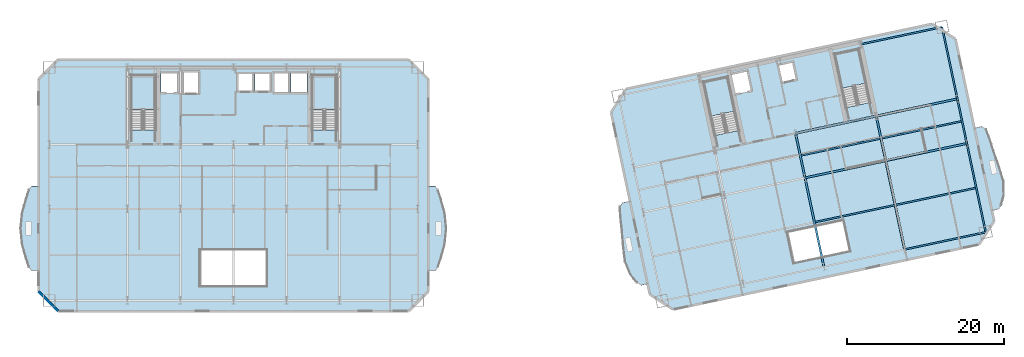
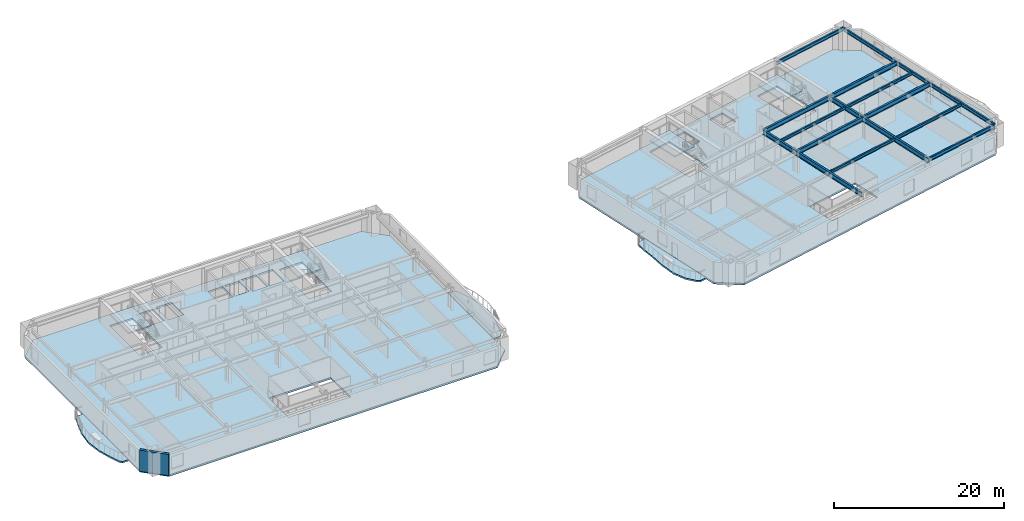
# One storey, part 4 of 14: 17 beams, 10 slabs, 1 wall, 4 elements without a shape of their own.
"""IFC4 building model written with IfcOpenShell, lengths in metres."""

from ifc_helpers import new_model, si_unit, direction, frame, frame_2d, origin, origin_2d, place, context, subcontext, project, spatial, polyline, rectangle, i_section, outline, extrude, material, layer, layer_set, material_profile, profile_set, type_object, element, aggregate, save


model = new_model("IFC4")

# Units and contexts
model_context = context("Model", 3, precision=1e-05, world=origin(), true_north=direction((0.0, 1.0)))
body_context = subcontext(model_context, "Body", "Model", "MODEL_VIEW")
ifc_project = project(units=[si_unit("LENGTHUNIT", "METRE"), si_unit("AREAUNIT", "SQUARE_METRE"), si_unit("VOLUMEUNIT", "CUBIC_METRE"), si_unit("PLANEANGLEUNIT", "RADIAN"), si_unit("MASSUNIT", "GRAM", prefix="KILO")], contexts=[model_context])

# Site, building, storey
site_placement = place(None, origin())
site = spatial("IfcSite", under=ifc_project, at=site_placement, CompositionType="ELEMENT")
building_placement = place(site_placement, origin())
building = spatial("IfcBuilding", under=site, at=building_placement, Name="Haevon Station Towers", CompositionType="ELEMENT")
storey_placement = place(building_placement, frame((0.0, 0.0, 86.699951171875)))
storey = spatial("IfcBuildingStorey", under=building, at=storey_placement, Name="L22", CompositionType="ELEMENT", Elevation=86.699951171875)

# Beams
ifc_material_1 = material(Name="Steel S355", Category="steel")
ifc_material_profile_1 = material_profile(ifc_material_1, i_section(OverallWidth=0.25, OverallDepth=0.64990234375, WebThickness=0.012939453125, FlangeThickness=0.02197265625, at=origin_2d()), Name="H-650x250x13x22")
ifc_profile_set_1 = profile_set([ifc_material_profile_1], Name="Steel S355")
beam_type_1 = type_object("IfcBeamType", Name="BM-G650", PredefinedType="BEAM", material=ifc_profile_set_1)
beam_1_placement = place(storey_placement, frame((110.228759765625, 33.9521484375, 2.72509765625), z_axis=(0.978146794194, 0.207915485254, 0.0), x_axis=(-0.207915485254, 0.978146794194, 0.0)))
element("IfcBeam", 1, at=beam_1_placement, inside=storey, type_object=beam_type_1, Name="BM-T2U-L22-02-03", PredefinedType="BEAM", context=body_context, shape_type="SweptSolid", body=[
    extrude(i_section(OverallWidth=0.25, OverallDepth=0.64990234375, WebThickness=0.012939453125, FlangeThickness=0.02197265625, at=origin_2d()), origin(), (0.0, 0.0, 1.0), 10.5),
])
beam_2_placement = place(storey_placement, frame((120.499267578125, 36.13525390625, 2.72509765625), z_axis=(0.978145498476, 0.207921580918, 0.0), x_axis=(-0.207921580918, 0.978145498476, 0.0)))
element("IfcBeam", 2, at=beam_2_placement, inside=storey, type_object=beam_type_1, Name="BM-T2U-L22-02-04", PredefinedType="BEAM", context=body_context, shape_type="SweptSolid", body=[
    extrude(i_section(OverallWidth=0.25, OverallDepth=0.64990234375, WebThickness=0.012939453125, FlangeThickness=0.02197265625, at=origin_2d()), origin(), (0.0, 0.0, 1.0), 10.550048828125),
])
beam_3_placement = place(storey_placement, frame((109.02294921875, 39.62548828125, 2.72509765625), z_axis=(0.978146794194, 0.207915485254, 0.0), x_axis=(-0.207915485254, 0.978146794194, 0.0)))
element("IfcBeam", 3, at=beam_3_placement, inside=storey, type_object=beam_type_1, Name="BM-T2U-L22-03-03", PredefinedType="BEAM", context=body_context, shape_type="SweptSolid", body=[
    extrude(i_section(OverallWidth=0.25, OverallDepth=0.64990234375, WebThickness=0.012939453125, FlangeThickness=0.02197265625, at=origin_2d()), origin(), (0.0, 0.0, 1.0), 10.5),
])
beam_4_placement = place(storey_placement, frame((119.29345703125, 41.80859375, 2.72509765625), z_axis=(0.978149204359, 0.207904146209, 0.0), x_axis=(-0.207904146209, 0.978149204359, 0.0)))
element("IfcBeam", 4, at=beam_4_placement, inside=storey, type_object=beam_type_1, Name="BM-T2U-L22-03-04", PredefinedType="BEAM", context=body_context, shape_type="SweptSolid", body=[
    extrude(i_section(OverallWidth=0.25, OverallDepth=0.64990234375, WebThickness=0.012939453125, FlangeThickness=0.02197265625, at=origin_2d()), origin(), (0.0, 0.0, 1.0), 10.5498046875),
])
beam_5_placement = place(storey_placement, frame((112.630126953125, 22.654541015625, 2.72509765625), z_axis=(-0.207910580697, 0.978147836697, 0.0), x_axis=(-0.978147836697, -0.207910580697, 0.0)))
element("IfcBeam", 5, at=beam_5_placement, inside=storey, type_object=beam_type_1, Name="BM-T2V-L22-03-01", PredefinedType="BEAM", context=body_context, shape_type="SweptSolid", body=[
    extrude(i_section(OverallWidth=0.25, OverallDepth=0.64990234375, WebThickness=0.012939453125, FlangeThickness=0.02197265625, at=origin_2d()), origin(), (0.0, 0.0, 1.0), 11.550048828125),
])
beam_6_placement = place(storey_placement, frame((110.228759765625, 33.9521484375, 2.72509765625), z_axis=(-0.207896009217, 0.97815093383, 0.0), x_axis=(-0.97815093383, -0.207896009217, 0.0)))
element("IfcBeam", 6, at=beam_6_placement, inside=storey, type_object=beam_type_1, Name="BM-T2V-L22-03-02", PredefinedType="BEAM", context=body_context, shape_type="SweptSolid", body=[
    extrude(i_section(OverallWidth=0.25, OverallDepth=0.64990234375, WebThickness=0.012939453125, FlangeThickness=0.02197265625, at=origin_2d()), origin(), (0.0, 0.0, 1.0), 5.800048828125),
])
beam_7_placement = place(storey_placement, frame((122.900634765625, 24.837646484375, 2.72509765625), z_axis=(-0.207910580697, 0.978147836697, 0.0), x_axis=(-0.978147836697, -0.207910580697, 0.0)))
element("IfcBeam", 7, at=beam_7_placement, inside=storey, type_object=beam_type_1, Name="BM-T2V-L22-04-01", PredefinedType="BEAM", context=body_context, shape_type="SweptSolid", body=[
    extrude(i_section(OverallWidth=0.25, OverallDepth=0.64990234375, WebThickness=0.012939453125, FlangeThickness=0.02197265625, at=origin_2d()), origin(), (0.0, 0.0, 1.0), 11.550048828125),
])
beam_8_placement = place(storey_placement, frame((120.499267578125, 36.13525390625, 2.72509765625), z_axis=(-0.207896009217, 0.97815093383, 0.0), x_axis=(-0.97815093383, -0.207896009217, 0.0)))
element("IfcBeam", 8, at=beam_8_placement, inside=storey, type_object=beam_type_1, Name="BM-T2V-L22-04-02", PredefinedType="BEAM", context=body_context, shape_type="SweptSolid", body=[
    extrude(i_section(OverallWidth=0.25, OverallDepth=0.64990234375, WebThickness=0.012939453125, FlangeThickness=0.02197265625, at=origin_2d()), origin(), (0.0, 0.0, 1.0), 5.800048828125),
])
ifc_material_profile_2 = material_profile(ifc_material_1, i_section(OverallWidth=0.199951171875, OverallDepth=0.39990234375, WebThickness=0.008056640625, FlangeThickness=0.012939453125, at=origin_2d()), Name="H-400x200x8x13")
ifc_profile_set_2 = profile_set([ifc_material_profile_2], Name="Steel S355")
beam_type_2 = type_object("IfcBeamType", Name="BM-J400", PredefinedType="JOIST", material=ifc_profile_set_2)
beam_9_placement = place(storey_placement, frame((111.537109375, 28.326416015625, 2.85009765625), z_axis=(0.978150339653, 0.207898804801, 0.0), x_axis=(-0.207898804801, 0.978150339653, 0.0)))
element("IfcBeam", 9, at=beam_9_placement, inside=storey, type_object=beam_type_2, Name="BM-T2J-L22-01-03", PredefinedType="JOIST", context=body_context, shape_type="SweptSolid", body=[
    extrude(i_section(OverallWidth=0.199951171875, OverallDepth=0.39990234375, WebThickness=0.008056640625, FlangeThickness=0.012939453125, at=origin_2d()), origin(), (0.0, 0.0, 1.0), 10.280029296875),
])
beam_10_placement = place(storey_placement, frame((121.8076171875, 30.50927734375, 2.85009765625), z_axis=(0.978147977643, 0.207909917591, 0.0), x_axis=(-0.207909917591, 0.978147977643, 0.0)))
element("IfcBeam", 10, at=beam_10_placement, inside=storey, type_object=beam_type_2, Name="BM-T2J-L22-01-04", PredefinedType="JOIST", context=body_context, shape_type="SweptSolid", body=[
    extrude(i_section(OverallWidth=0.199951171875, OverallDepth=0.39990234375, WebThickness=0.008056640625, FlangeThickness=0.012939453125, at=origin_2d()), origin(), (0.0, 0.0, 1.0), 10.330078125),
])
beam_11_placement = place(storey_placement, frame((109.7333984375, 36.811767578125, 2.85009765625), z_axis=(0.978150339653, 0.207898804801, 0.0), x_axis=(-0.207898804801, 0.978150339653, 0.0)))
element("IfcBeam", 11, at=beam_11_placement, inside=storey, type_object=beam_type_2, Name="BM-T2J-L22-02-03", PredefinedType="JOIST", context=body_context, shape_type="SweptSolid", body=[
    extrude(i_section(OverallWidth=0.199951171875, OverallDepth=0.39990234375, WebThickness=0.008056640625, FlangeThickness=0.012939453125, at=origin_2d()), origin(), (0.0, 0.0, 1.0), 10.280029296875),
])
beam_12_placement = place(storey_placement, frame((120.00390625, 38.994873046875, 2.85009765625), z_axis=(0.978147977643, 0.207909917591, 0.0), x_axis=(-0.207909917591, 0.978147977643, 0.0)))
element("IfcBeam", 12, at=beam_12_placement, inside=storey, type_object=beam_type_2, Name="BM-T2J-L22-02-04", PredefinedType="JOIST", context=body_context, shape_type="SweptSolid", body=[
    extrude(i_section(OverallWidth=0.199951171875, OverallDepth=0.39990234375, WebThickness=0.008056640625, FlangeThickness=0.012939453125, at=origin_2d()), origin(), (0.0, 0.0, 1.0), 10.330078125),
])
ifc_material_profile_3 = material_profile(ifc_material_1, i_section(OverallWidth=0.199951171875, OverallDepth=0.5, WebThickness=0.010009765625, FlangeThickness=0.01611328125, at=origin_2d()), Name="H-500x200x10x16")
ifc_profile_set_3 = profile_set([ifc_material_profile_3], Name="Steel S355")
beam_type_3 = type_object("IfcBeamType", Name="BM-SP500", PredefinedType="SPANDREL", material=ifc_profile_set_3)
for number, where, z_axis, x_axis, name in (
    (13, (122.900634765625, 24.837646484375, 2.800048828125), (0.978145498476, 0.207921580918, 0.0), (-0.207921580918, 0.978145498476, 0.0), "BM-T2U-L22-01-04"),
    (14, (117.349365234375, 50.954345703125, 2.800048828125), (0.978150204601, 0.207899440208, 0.0), (-0.207899440208, 0.978150204601, 0.0), "BM-T2U-L22-04-04"),
):
    element("IfcBeam", number, at=place(storey_placement, frame(where, z_axis=z_axis, x_axis=x_axis)), inside=storey, type_object=beam_type_3, Name=name, PredefinedType="SPANDREL", context=body_context, shape_type="SweptSolid", body=[
        extrude(i_section(OverallWidth=0.199951171875, OverallDepth=0.5, WebThickness=0.010009765625, FlangeThickness=0.01611328125, at=origin_2d()), origin(), (0.0, 0.0, 1.0), 10.550048828125),
    ])
beam_13_placement = place(storey_placement, frame((133.22021484375, 27.03125, 2.800048828125), z_axis=(-0.207910580697, 0.978147836697, 0.0), x_axis=(-0.978147836697, -0.207910580697, 0.0)))
element("IfcBeam", 15, at=beam_13_placement, inside=storey, type_object=beam_type_3, Name="BM-T2V-L22-05-01", PredefinedType="SPANDREL", context=body_context, shape_type="SweptSolid", body=[
    extrude(i_section(OverallWidth=0.199951171875, OverallDepth=0.5, WebThickness=0.010009765625, FlangeThickness=0.01611328125, at=origin_2d()), origin(), (0.0, 0.0, 1.0), 11.550048828125),
])
beam_14_placement = place(storey_placement, frame((130.81884765625, 38.328857421875, 2.800048828125), z_axis=(-0.207944843707, 0.978140553282, 0.0), x_axis=(-0.978140553282, -0.207944843707, 0.0)))
element("IfcBeam", 16, at=beam_14_placement, inside=storey, type_object=beam_type_3, Name="BM-T2V-L22-05-02", PredefinedType="SPANDREL", context=body_context, shape_type="SweptSolid", body=[
    extrude(i_section(OverallWidth=0.199951171875, OverallDepth=0.5, WebThickness=0.010009765625, FlangeThickness=0.01611328125, at=origin_2d()), origin(), (0.0, 0.0, 1.0), 5.7998046875),
])
beam_15_placement = place(storey_placement, frame((129.61279296875, 44.001953125, 2.800048828125), z_axis=(-0.207897167074, 0.978150687738, 0.0), x_axis=(-0.978150687738, -0.207897167074, 0.0)))
element("IfcBeam", 17, at=beam_15_placement, inside=storey, type_object=beam_type_3, Name="BM-T2V-L22-05-03", PredefinedType="SPANDREL", context=body_context, shape_type="SweptSolid", body=[
    extrude(i_section(OverallWidth=0.199951171875, OverallDepth=0.5, WebThickness=0.010009765625, FlangeThickness=0.01611328125, at=origin_2d()), origin(), (0.0, 0.0, 1.0), 9.35009765625),
])

# Slabs
ifc_material_2 = material(Name="Concrete C40/50", Category="concrete")
ifc_layer_1 = layer(ifc_material_2, 0.219970703125)
ifc_layer_set_1 = layer_set([ifc_layer_1], Name="Concrete C40/50")
slab_type_1 = type_object("IfcSlabType", Name="SL-BALC220", PredefinedType="FLOOR", material=ifc_layer_set_1)
slab_1_placement = place(storey_placement, frame((0.0, 0.0, -0.219970703125)))
element("IfcSlab", 18, at=slab_1_placement, inside=storey, type_object=slab_type_1, Name="Tower 1 L22 West SCALLOPED BALCONY", PredefinedType="FLOOR", context=body_context, shape_type="SweptSolid", body=[
    extrude(outline(polyline([(12.695068359375, 32.89990234375), (11.81298828125, 32.89990234375), (11.497314453125, 32.489013671875), (11.1005859375, 31.318359375), (10.594970703125, 29.56640625), (10.34130859375, 27.5), (10.594970703125, 25.43359375), (11.1005859375, 23.681640625), (11.497314453125, 22.510986328125), (11.81298828125, 22.10009765625), (12.695068359375, 22.10009765625), (12.695068359375, 32.89990234375)])), origin(), (0.0, 0.0, 1.0), 0.219970703125),
])
slab_2_placement = place(storey_placement, frame((0.0, 0.0, -0.219970703125)))
element("IfcSlab", 19, at=slab_2_placement, inside=storey, type_object=slab_type_1, Name="Tower 1 L22 East SCALLOPED BALCONY", PredefinedType="FLOOR", context=body_context, shape_type="SweptSolid", body=[
    extrude(outline(polyline([(62.304931640625, 22.10009765625), (63.18701171875, 22.10009765625), (63.502685546875, 22.510986328125), (63.8994140625, 23.681640625), (64.405029296875, 25.43359375), (64.65869140625, 27.5), (64.405029296875, 29.56640625), (63.8994140625, 31.318359375), (63.502685546875, 32.489013671875), (63.18701171875, 32.89990234375), (62.304931640625, 32.89990234375), (62.304931640625, 22.10009765625)])), origin(), (0.0, 0.0, 1.0), 0.219970703125),
])
slab_3_placement = place(storey_placement, frame((0.0, 0.0, -0.219970703125)))
element("IfcSlab", 20, at=slab_3_placement, inside=storey, type_object=slab_type_1, Name="Tower 2 L22 West SCALLOPED BALCONY", PredefinedType="FLOOR", context=body_context, shape_type="SweptSolid", body=[
    extrude(outline(polyline([(87.949462890625, 31.005615234375), (86.982666015625, 30.80029296875), (86.6552734375, 30.310302734375), (86.718994140625, 29.127197265625), (86.8984375, 27.374267578125), (87.01806640625, 25.287109375), (87.3193359375, 23.238525390625), (88.015380859375, 21.595458984375), (88.851806640625, 20.576416015625), (89.363525390625, 20.264892578125), (90.195068359375, 20.441650390625), (87.949462890625, 31.005615234375)])), origin(), (0.0, 0.0, 1.0), 0.219970703125),
])
slab_4_placement = place(storey_placement, frame((0.0, 0.0, -0.219970703125)))
element("IfcSlab", 21, at=slab_4_placement, inside=storey, type_object=slab_type_1, Name="Tower 2 L22 East SCALLOPED BALCONY", PredefinedType="FLOOR", context=body_context, shape_type="SweptSolid", body=[
    extrude(outline(polyline([(134.02587890625, 29.75830078125), (134.857177734375, 29.93505859375), (135.197998046875, 30.427734375), (135.5478515625, 31.69873046875), (135.515380859375, 33.48291015625), (134.957275390625, 35.476806640625), (134.217529296875, 37.432373046875), (133.668701171875, 39.106689453125), (133.245361328125, 40.21337890625), (132.747314453125, 40.52783203125), (131.7802734375, 40.322265625), (134.02587890625, 29.75830078125)])), origin(), (0.0, 0.0, 1.0), 0.219970703125),
])

# Stair, slab
stair_type = type_object("IfcStairType", Name="STR-DL1450", PredefinedType="USERDEFINED", material=ifc_material_2)
stair_1_placement = place(storey_placement, origin())
stair_1 = element("IfcStair", 22, at=stair_1_placement, inside=storey, type_object=stair_type, Name="L22 Escape Stair ST1", ObjectType="TWO_RETURN_STAIR", PredefinedType="USERDEFINED")
ifc_layer_2 = layer(ifc_material_2, 0.199951171875)
ifc_layer_set_2 = layer_set([ifc_layer_2], Name="Concrete C40/50")
slab_type_2 = type_object("IfcSlabType", Name="SL-LND200", PredefinedType="LANDING", material=ifc_layer_set_2)
slab_5_placement = place(storey_placement, frame((0.0, 0.0, 1.449951171875)))
slab_5 = element("IfcSlab", 23, at=slab_5_placement, type_object=slab_type_2, Name="L22 ST1 Half Landing 1", PredefinedType="LANDING", context=body_context, shape_type="SweptSolid", body=[
    extrude(outline(polyline([(27.580078125, 42.56396484375), (27.580078125, 47.0), (24.47998046875, 47.0), (24.47998046875, 42.56396484375), (27.580078125, 42.56396484375)])), origin(), (0.0, 0.0, 1.0), 0.2001953125),
])
aggregate(stair_1, [slab_5])

stair_2_placement = place(storey_placement, origin())
stair_2 = element("IfcStair", 24, at=stair_2_placement, inside=storey, type_object=stair_type, Name="L22 Escape Stair ST2", ObjectType="TWO_RETURN_STAIR", PredefinedType="USERDEFINED")
slab_6_placement = place(storey_placement, frame((0.0, 0.0, 1.449951171875)))
slab_6 = element("IfcSlab", 25, at=slab_6_placement, type_object=slab_type_2, Name="L22 ST2 Half Landing 1", PredefinedType="LANDING", context=body_context, shape_type="SweptSolid", body=[
    extrude(outline(polyline([(50.6201171875, 42.56396484375), (50.6201171875, 47.0), (47.52001953125, 47.0), (47.52001953125, 42.56396484375), (50.6201171875, 42.56396484375)])), origin(), (0.0, 0.0, 1.0), 0.2001953125),
])
aggregate(stair_2, [slab_6])

stair_3_placement = place(storey_placement, origin())
stair_3 = element("IfcStair", 26, at=stair_3_placement, inside=storey, type_object=stair_type, Name="L22 Escape Stair ST3", ObjectType="TWO_RETURN_STAIR", PredefinedType="USERDEFINED")
slab_7_placement = place(storey_placement, frame((0.0, 0.0, 1.449951171875)))
slab_7 = element("IfcSlab", 27, at=slab_7_placement, type_object=slab_type_2, Name="L22 ST3 Half Landing 1", PredefinedType="LANDING", context=body_context, shape_type="SweptSolid", body=[
    extrude(outline(polyline([(101.2880859375, 42.44287109375), (100.36572265625, 46.781982421875), (97.33349609375, 46.137451171875), (98.255859375, 41.79833984375), (101.2880859375, 42.44287109375)])), origin(), (0.0, 0.0, 1.0), 0.2001953125),
])
aggregate(stair_3, [slab_7])

stair_4_placement = place(storey_placement, origin())
stair_4 = element("IfcStair", 28, at=stair_4_placement, inside=storey, type_object=stair_type, Name="L22 Escape Stair ST4", ObjectType="TWO_RETURN_STAIR", PredefinedType="USERDEFINED")
slab_8_placement = place(storey_placement, frame((0.0, 0.0, 1.449951171875)))
slab_8 = element("IfcSlab", 29, at=slab_8_placement, type_object=slab_type_2, Name="L22 ST4 Half Landing 1", PredefinedType="LANDING", context=body_context, shape_type="SweptSolid", body=[
    extrude(outline(polyline([(117.975341796875, 45.989990234375), (117.052978515625, 50.328857421875), (114.020751953125, 49.684326171875), (114.943115234375, 45.345458984375), (117.975341796875, 45.989990234375)])), origin(), (0.0, 0.0, 1.0), 0.2001953125),
])
aggregate(stair_4, [slab_8])

# Slabs
ifc_layer_3 = layer(ifc_material_2, 0.25)
ifc_layer_set_3 = layer_set([ifc_layer_3], Name="Concrete C40/50")
slab_type_3 = type_object("IfcSlabType", Name="SL-TW250", PredefinedType="FLOOR", material=ifc_layer_set_3)
slab_9_placement = place(storey_placement, frame((0.0, 0.0, -0.25)))
element("IfcSlab", 30, at=slab_9_placement, inside=storey, type_object=slab_type_3, Name="SL-T1-L22", PredefinedType="FLOOR", context=body_context, shape_type="SweptSolid", body=[
    extrude(outline(polyline([(15.199951171875, 17.0), (59.800048828125, 17.0), (62.300048828125, 19.5), (62.300048828125, 46.5), (59.800048828125, 49.0), (15.199951171875, 49.0), (12.699951171875, 46.5), (12.699951171875, 19.5), (15.199951171875, 17.0)]), holes=[polyline([(27.580078125, 40.055908203125), (27.580078125, 47.0), (24.47998046875, 47.0), (24.47998046875, 40.055908203125), (27.580078125, 40.055908203125)]), polyline([(50.6201171875, 40.055908203125), (50.6201171875, 47.0), (47.52001953125, 47.0), (47.52001953125, 40.055908203125), (50.6201171875, 40.055908203125)]), polyline([(28.300048828125, 44.699951171875), (30.5, 44.699951171875), (30.5, 47.39990234375), (28.300048828125, 47.39990234375), (28.300048828125, 44.699951171875)]), polyline([(31.050048828125, 44.60009765625), (33.14990234375, 44.60009765625), (33.14990234375, 47.5), (31.050048828125, 47.5), (31.050048828125, 44.60009765625)]), polyline([(38.0, 44.89990234375), (40.0, 44.89990234375), (40.0, 47.300048828125), (38.0, 47.300048828125), (38.0, 44.89990234375)]), polyline([(40.25, 44.89990234375), (42.25, 44.89990234375), (42.25, 47.300048828125), (40.25, 47.300048828125), (40.25, 44.89990234375)]), polyline([(42.60009765625, 44.699951171875), (44.60009765625, 44.699951171875), (44.60009765625, 47.39990234375), (42.60009765625, 47.39990234375), (42.60009765625, 44.699951171875)]), polyline([(44.85009765625, 44.699951171875), (46.85009765625, 44.699951171875), (46.85009765625, 47.39990234375), (44.85009765625, 47.39990234375), (44.85009765625, 44.699951171875)]), polyline([(33.300048828125, 20.199951171875), (41.699951171875, 20.199951171875), (41.699951171875, 24.800048828125), (33.300048828125, 24.800048828125), (33.300048828125, 20.199951171875)])]), origin(), (0.0, 0.0, 1.0), 0.25),
])
slab_10_placement = place(storey_placement, frame((0.0, 0.0, -0.25)))
element("IfcSlab", 31, at=slab_10_placement, inside=storey, type_object=slab_type_3, Name="SL-T2-L22", PredefinedType="FLOOR", context=body_context, shape_type="SweptSolid", body=[
    extrude(outline(polyline([(93.44580078125, 17.19677734375), (132.3759765625, 25.4716796875), (134.301513671875, 28.436767578125), (129.3740234375, 51.618896484375), (126.408935546875, 53.54443359375), (87.478759765625, 45.26953125), (85.552978515625, 42.304443359375), (90.48046875, 19.122314453125), (93.44580078125, 17.19677734375)]), holes=[polyline([(101.8095703125, 39.98974609375), (100.36572265625, 46.781982421875), (97.33349609375, 46.137451171875), (98.77734375, 39.34521484375), (101.8095703125, 39.98974609375)]), polyline([(118.496826171875, 43.53662109375), (117.052978515625, 50.328857421875), (114.020751953125, 49.684326171875), (115.464599609375, 42.89208984375), (118.496826171875, 43.53662109375)]), polyline([(101.43212890625, 44.554931640625), (103.486328125, 44.99169921875), (102.9248046875, 47.632568359375), (100.870849609375, 47.196044921875), (101.43212890625, 44.554931640625)]), polyline([(107.259521484375, 45.998046875), (109.2158203125, 46.413818359375), (108.716796875, 48.761474609375), (106.760498046875, 48.345703125), (107.259521484375, 45.998046875)]), polyline([(108.848876953125, 23.12890625), (115.8916015625, 24.625732421875), (115.06005859375, 28.538330078125), (108.017333984375, 27.04150390625), (108.848876953125, 23.12890625)])]), origin(), (0.0, 0.0, 1.0), 0.25),
])

# Wall
ifc_material_3 = material(Name="Precast concrete C45/55", Category="concrete")
ifc_layer_4 = layer(ifc_material_3, 0.320068359375)
ifc_layer_set_4 = layer_set([ifc_layer_4], Name="Precast concrete C45/55")
wall_type = type_object("IfcWallType", Name="WL-EXT-PIER320", PredefinedType="SOLIDWALL", material=ifc_layer_set_4)
wall_placement = place(storey_placement, frame((15.199951171875, 17.0, 0.0), z_axis=(0.0, 0.0, 1.0), x_axis=(-0.707106781187, 0.707106781187, 0.0)))
element("IfcWall", 32, at=wall_placement, inside=storey, type_object=wall_type, Name="WL-T1-L22-SWC", PredefinedType="SOLIDWALL", context=body_context, shape_type="SweptSolid", body=[
    extrude(rectangle(XDim=3.53564453125, YDim=0.320068359375, at=frame_2d((1.767822265625, 0.0))), origin(), (0.0, 0.0, 1.0), 3.030029296875),
])

save(model, "model.ifc")
